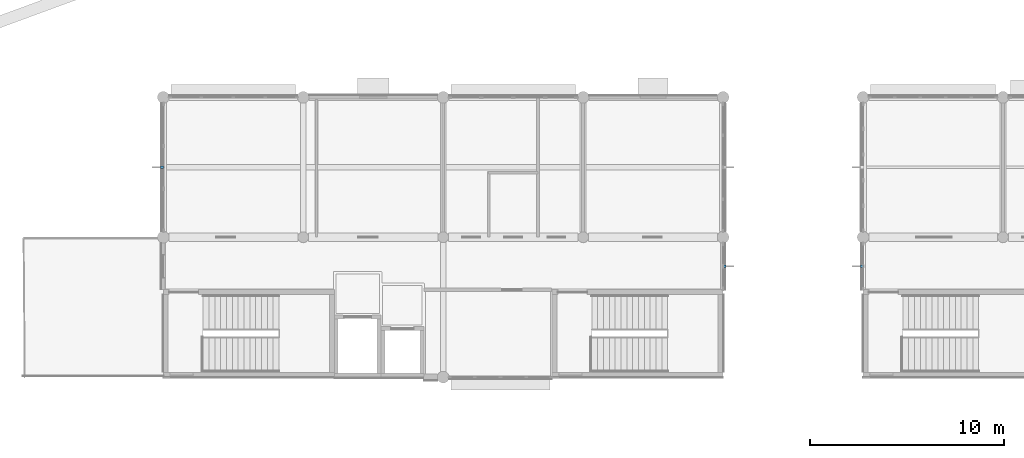
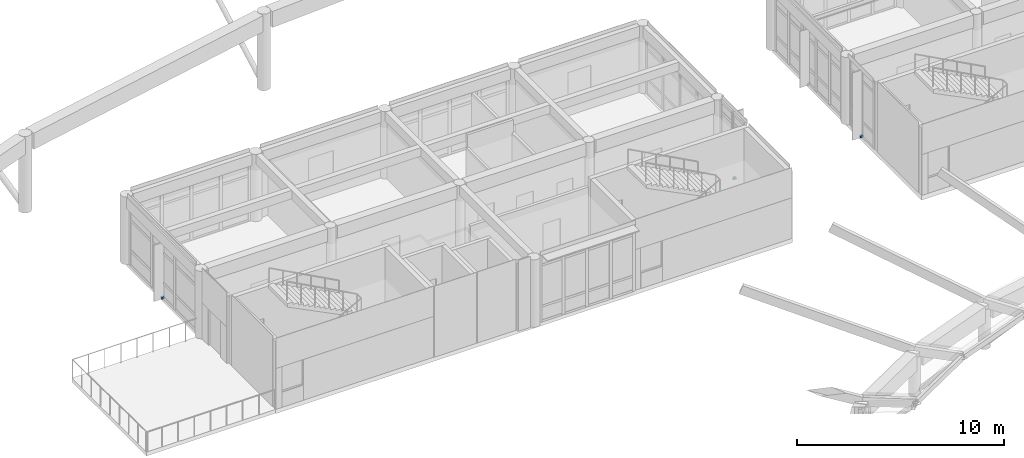
# One storey, part 28 of 37: 3 discrete accessories.
"""IFC4 building model written with IfcOpenShell, lengths in metres."""

from ifc_helpers import new_model, si_unit, direction, frame, origin, origin_2d, place, context, subcontext, project, spatial, rectangle, extrude, material, type_object, element, save


model = new_model("IFC4")

# Units and contexts
model_context = context("Model", 3, precision=1e-05, world=origin(), true_north=direction((0.0, 1.0)))
body_context = subcontext(model_context, "Body", "Model", "MODEL_VIEW")
ifc_project = project(units=[si_unit("LENGTHUNIT", "METRE"), si_unit("AREAUNIT", "SQUARE_METRE"), si_unit("VOLUMEUNIT", "CUBIC_METRE"), si_unit("PLANEANGLEUNIT", "RADIAN"), si_unit("MASSUNIT", "GRAM", prefix="KILO")], contexts=[model_context])

# Site, building, storey
site_placement = place(None, origin())
site = spatial("IfcSite", under=ifc_project, at=site_placement, CompositionType="ELEMENT")
building_placement = place(site_placement, origin())
building = spatial("IfcBuilding", under=site, at=building_placement, Name="Namkhue Oval Health Centre", CompositionType="ELEMENT")
storey_placement = place(building_placement, frame((0.0, 0.0, 22.199951171875)))
storey = spatial("IfcBuildingStorey", under=building, at=storey_placement, Name="L05", CompositionType="ELEMENT", Elevation=22.199951171875)

# Discrete accessories
ifc_material = material(Name="Structural steel S355JR (TCVN CCT38)", Category="steel")
discrete_accessory_type = type_object("IfcDiscreteAccessoryType", Name="FACADE SHADING BRACKET", PredefinedType="BRACKET", material=ifc_material)
for number, where, z_axis, x_axis, name in (
    (1, (86.4599609375, 95.70361328125, 0.0), (0.0, 0.0, 1.0), (1.0, 0.0, 0.0), "Solar Fin Bracket 110"),
    (2, (57.5400390625, 100.800048828125, 0.0), (0.0, 0.0, 1.0), (-1.0, 0.0, 0.0), "Solar Fin Bracket 116"),
    (3, (93.5400390625, 95.70361328125, 0.0), (0.0, 0.0, 1.0), (-1.0, 0.0, 0.0), "Solar Fin Bracket 179"),
):
    element("IfcDiscreteAccessory", number, at=place(storey_placement, frame(where, z_axis=z_axis, x_axis=x_axis)), inside=storey, type_object=discrete_accessory_type, Name=name, PredefinedType="BRACKET", context=body_context, shape_type="SweptSolid", body=[
        extrude(rectangle(XDim=0.159912109375, YDim=0.1201171875, at=origin_2d()), origin(), (0.0, 0.0, 1.0), 0.1201171875),
    ])

save(model, "model.ifc")
